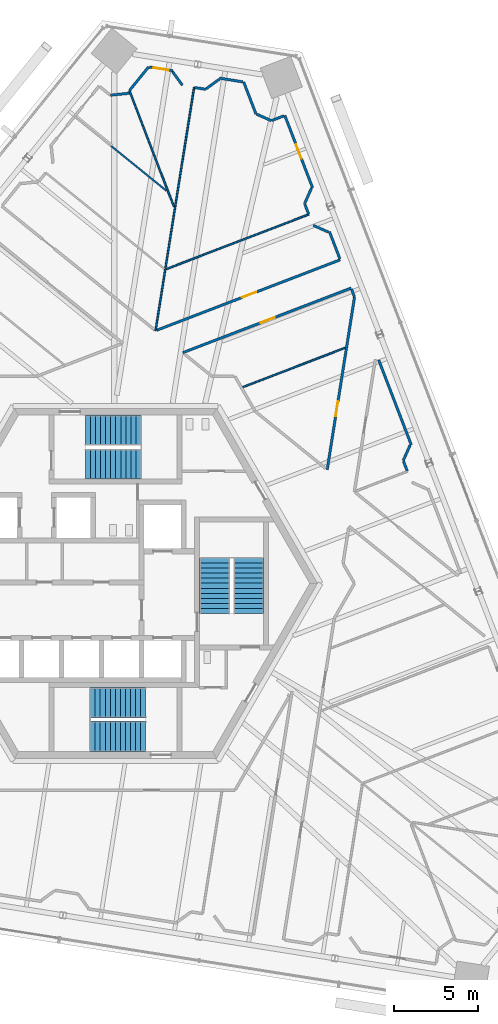
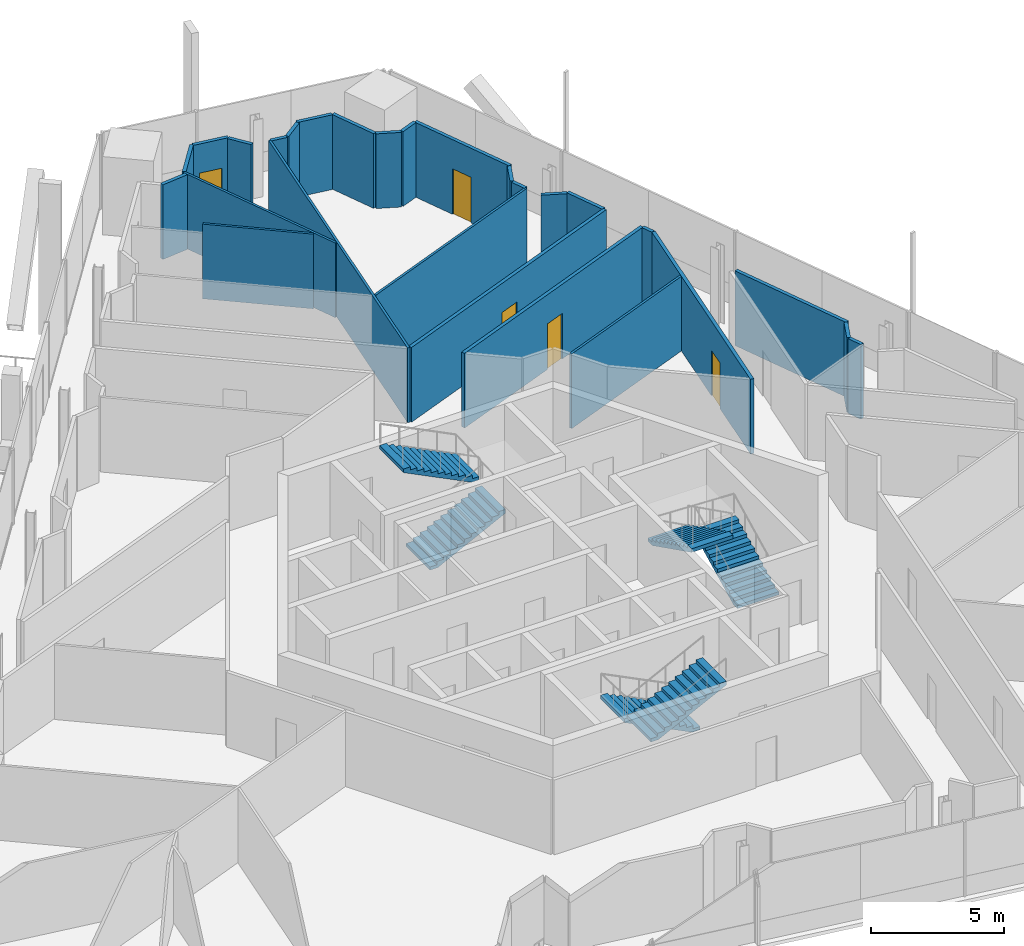
# One storey, part 16 of 23: 27 walls, 6 stair flights, 5 doors, 5 openings, 3 elements without a shape of their own.
"""IFC4 building model written with IfcOpenShell, lengths in metres."""

from ifc_helpers import new_model, si_unit, direction, frame, frame_2d, origin, place, context, subcontext, project, spatial, polyline, rectangle, outline, extrude, source, transform, mapped, material, layer, layer_set, type_object, element, fill, aggregate, save


model = new_model("IFC4")

# Units and contexts
model_context = context("Model", 3, precision=1e-05, world=origin(), true_north=direction((0.0, 1.0)))
body_context = subcontext(model_context, "Body", "Model", "MODEL_VIEW")
ifc_project = project(units=[si_unit("LENGTHUNIT", "METRE"), si_unit("AREAUNIT", "SQUARE_METRE"), si_unit("VOLUMEUNIT", "CUBIC_METRE"), si_unit("PLANEANGLEUNIT", "RADIAN"), si_unit("MASSUNIT", "GRAM", prefix="KILO")], contexts=[model_context])

# Site, building, storey
site_placement = place(None, origin())
site = spatial("IfcSite", under=ifc_project, at=site_placement, CompositionType="ELEMENT")
building_placement = place(site_placement, origin())
building = spatial("IfcBuilding", under=site, at=building_placement, Name="Triune Harvest Tower", CompositionType="ELEMENT")
storey_placement = place(building_placement, frame((0.0, 0.0, 167.699951171875)))
storey = spatial("IfcBuildingStorey", under=building, at=storey_placement, Name="L43", CompositionType="ELEMENT", Elevation=167.699951171875)

# Walls
ifc_material_1 = material(Name="Gypsum board on steel studs", Category="steel")
ifc_layer_1 = layer(ifc_material_1, 0.14990234375)
ifc_layer_set_1 = layer_set([ifc_layer_1], Name="Gypsum board on steel studs")
wall_type_1 = type_object("IfcWallType", Name="Fire Partition 150 mm", PredefinedType="PARTITIONING", material=ifc_layer_set_1)
wall_1_placement = place(storey_placement, frame((7.61328125, 29.784423828125, 0.0), z_axis=(0.0, 0.0, 1.0), x_axis=(0.358373590551, -0.933578261099, 0.0)))
element("IfcWall", 1, at=wall_1_placement, inside=storey, type_object=wall_type_1, Name="Partition L43 012", PredefinedType="PARTITIONING", context=body_context, shape_type="SweptSolid", body=[
    extrude(rectangle(XDim=2.026611328125, YDim=0.14990234375, at=frame_2d((1.01318359375, 0.0))), origin(), (0.0, 0.0, 1.0), 3.43994140625),
])
wall_2_placement = place(storey_placement, frame((11.2431640625, 22.530517578125, 0.0), z_axis=(0.0, 0.0, 1.0), x_axis=(0.358251499246, -0.933625119247, 0.0)))
element("IfcWall", 2, at=wall_2_placement, inside=storey, type_object=wall_type_1, Name="Partition L43 014", PredefinedType="PARTITIONING", context=body_context, shape_type="SweptSolid", body=[
    extrude(rectangle(XDim=0.629638671875, YDim=0.14990234375, at=frame_2d((0.31494140625, 0.0))), origin(), (0.0, 0.0, 1.0), 3.43994140625),
])
wall_3_placement = place(storey_placement, frame((17.1015625, 7.267822265625, 0.0), z_axis=(0.0, 0.0, 1.0), x_axis=(0.35824355396, -0.93362816798, 0.0)))
element("IfcWall", 3, at=wall_3_placement, inside=storey, type_object=wall_type_1, Name="Partition L43 015", PredefinedType="PARTITIONING", context=body_context, shape_type="SweptSolid", body=[
    extrude(rectangle(XDim=0.622802734375, YDim=0.14990234375, at=frame_2d((0.3115234375, 0.0))), origin(), (0.0, 0.0, 1.0), 3.43994140625),
])
wall_4_placement = place(storey_placement, frame((14.014892578125, 17.48681640625, 0.0), z_axis=(0.0, 0.0, 1.0), x_axis=(0.358412723489, -0.933563238159, 0.0)))
element("IfcWall", 4, at=wall_4_placement, inside=storey, type_object=wall_type_1, Name="Partition L43 019", PredefinedType="PARTITIONING", context=body_context, shape_type="SweptSolid", body=[
    extrude(rectangle(XDim=0.4912109375, YDim=0.14990234375, at=frame_2d((0.24560546875, 0.0))), origin(), (0.0, 0.0, 1.0), 3.43994140625),
])
wall_5_placement = place(storey_placement, frame((4.69775390625, 29.456298828125, 0.0), z_axis=(0.0, 0.0, 1.0), x_axis=(0.987708590409, -0.156306559145, 0.0)))
element("IfcWall", 5, at=wall_5_placement, inside=storey, type_object=wall_type_1, Name="Partition L43 070", PredefinedType="PARTITIONING", context=body_context, shape_type="SweptSolid", body=[
    extrude(rectangle(XDim=0.656005859375, YDim=0.14990234375, at=frame_2d((0.328125, 0.0))), origin(), (0.0, 0.0, 1.0), 3.43994140625),
])
wall_6_placement = place(storey_placement, frame((6.162841796875, 30.014404296875, 0.0), z_axis=(0.0, 0.0, 1.0), x_axis=(0.987669329581, -0.156554448688, 0.0)))
element("IfcWall", 6, at=wall_6_placement, inside=storey, type_object=wall_type_1, Name="Partition L43 072", PredefinedType="PARTITIONING", context=body_context, shape_type="SweptSolid", body=[
    extrude(rectangle(XDim=1.419189453125, YDim=0.14990234375, at=frame_2d((0.70947265625, 0.0))), origin(), (0.0, 0.0, 1.0), 3.43994140625),
])
wall_7_placement = place(storey_placement, frame((-0.305419921875, 29.0, 0.0), z_axis=(0.0, 0.0, 1.0), x_axis=(0.994515995105, 0.104584585292, 0.0)))
element("IfcWall", 7, at=wall_7_placement, inside=storey, type_object=wall_type_1, Name="Partition L43 081", PredefinedType="PARTITIONING", context=body_context, shape_type="SweptSolid", body=[
    extrude(rectangle(XDim=1.1416015625, YDim=0.14990234375, at=frame_2d((0.57080078125, 0.0))), origin(), (0.0, 0.0, 1.0), 3.43994140625),
])

# Wall, opening, door
wall_8_placement = place(storey_placement, frame((2.452392578125, 15.040283203125, 0.0), z_axis=(0.0, 0.0, 1.0), x_axis=(0.9335793899, 0.358370649961, 0.0)))
wall_8 = element("IfcWall", 8, at=wall_8_placement, inside=storey, type_object=wall_type_1, Name="Partition L43 095", PredefinedType="PARTITIONING", context=body_context, shape_type="SweptSolid", body=[
    extrude(rectangle(XDim=11.671142578125, YDim=0.14990234375, at=frame_2d((5.83544921875, 0.0))), origin(), (0.0, 0.0, 1.0), 3.43994140625),
])
opening_1_placement = place(wall_8_placement, frame((5.421142578125, 0.0, 0.0)))
opening_1 = element("IfcOpeningElement", 9, at=opening_1_placement, cuts=wall_8, Name="Opening L43-009", PredefinedType="OPENING", context=body_context, shape_type="SweptSolid", body=[
    extrude(rectangle(XDim=0.89990234375, YDim=2.10009765625, at=frame_2d((0.449951171875, 1.050048828125))), frame((0.0, 0.0849609375, 0.0), z_axis=(0.0, -1.0, 0.0), x_axis=(1.0, 0.0, 0.0)), (0.0, 0.0, 1.0), 0.169921875),
])
ifc_material_2 = material(Name="Timber and steel door set", Category="steel")
door_type_1 = type_object("IfcDoorType", Name="Single leaf door FD30 right hand 900 x 2100", OperationType="SINGLE_SWING_RIGHT", PredefinedType="DOOR", material=ifc_material_2)
door_1_placement = place(opening_1_placement, origin())
door_1 = element("IfcDoor", 10, at=door_1_placement, inside=storey, type_object=door_type_1, Name="Door L43-009 Meeting Room 43.09", OperationType="SINGLE_SWING_RIGHT", OverallHeight=2.10009765625, OverallWidth=0.89990234375, PredefinedType="DOOR", context=body_context, shape_type="SweptSolid", body=[
    extrude(rectangle(XDim=0.89990234375, YDim=2.10009765625, at=frame_2d((0.449951171875, 1.050048828125))), frame((0.0, 0.02490234375, 0.0), z_axis=(0.0, -1.0, 0.0), x_axis=(1.0, 0.0, 0.0)), (0.0, 0.0, 1.0), 0.050048828125),
])
fill(opening_1, door_1)

wall_9_placement = place(storey_placement, frame((12.573974609375, 6.754638671875, 0.0), z_axis=(0.0, 0.0, 1.0), x_axis=(0.156423837859, 0.987690023717, 0.0)))
wall_9 = element("IfcWall", 11, at=wall_9_placement, inside=storey, type_object=wall_type_1, Name="Partition L43 137", PredefinedType="PARTITIONING", context=body_context, shape_type="SweptSolid", body=[
    extrude(rectangle(XDim=10.382080078125, YDim=0.14990234375, at=frame_2d((5.19091796875, 0.0))), origin(), (0.0, 0.0, 1.0), 3.43994140625),
])
opening_2_placement = place(wall_9_placement, frame((3.211181640625, 0.0, 0.0)))
opening_2 = element("IfcOpeningElement", 12, at=opening_2_placement, cuts=wall_9, Name="Opening L43-007", PredefinedType="OPENING", context=body_context, shape_type="SweptSolid", body=[
    extrude(rectangle(XDim=0.89990234375, YDim=2.10009765625, at=frame_2d((0.449951171875, 1.050048828125))), frame((0.0, 0.0849609375, 0.0), z_axis=(0.0, -1.0, 0.0), x_axis=(1.0, 0.0, 0.0)), (0.0, 0.0, 1.0), 0.169921875),
])
ifc_material_3 = material(Name="Timber and steel door set", Category="steel")
door_type_2 = type_object("IfcDoorType", Name="Single leaf door FD30 left hand 900 x 2100", OperationType="SINGLE_SWING_LEFT", PredefinedType="DOOR", material=ifc_material_3)
door_2_placement = place(opening_2_placement, origin())
door_2 = element("IfcDoor", 13, at=door_2_placement, inside=storey, type_object=door_type_2, Name="Door L43-007 Meeting Room 43.07", OperationType="SINGLE_SWING_LEFT", OverallHeight=2.10009765625, OverallWidth=0.89990234375, PredefinedType="DOOR", context=body_context, shape_type="SweptSolid", body=[
    extrude(rectangle(XDim=0.89990234375, YDim=2.10009765625, at=frame_2d((0.449951171875, 1.050048828125))), frame((0.0, 0.02490234375, 0.0), z_axis=(0.0, -1.0, 0.0), x_axis=(1.0, 0.0, 0.0)), (0.0, 0.0, 1.0), 0.050048828125),
])
fill(opening_2, door_2)

# Walls
ifc_material_4 = material(Name="Gypsum board on steel studs", Category="steel")
ifc_layer_2 = layer(ifc_material_4, 0.10009765625)
ifc_layer_set_2 = layer_set([ifc_layer_2], Name="Gypsum board on steel studs")
wall_type_2 = type_object("IfcWallType", Name="Partition 100 mm", PredefinedType="PARTITIONING", material=ifc_layer_set_2)
wall_10_placement = place(storey_placement, frame((-0.25634765625, 25.979736328125, 0.0), z_axis=(0.0, 0.0, 1.0), x_axis=(0.777145274054, -0.629321239921, 0.0)))
element("IfcWall", 14, at=wall_10_placement, inside=storey, type_object=wall_type_2, Name="Partition L43 047a", PredefinedType="PARTITIONING", context=body_context, shape_type="SweptSolid", body=[
    extrude(rectangle(XDim=4.224609375, YDim=0.10009765625, at=frame_2d((2.1123046875, 0.0))), origin(), (0.0, 0.0, 1.0), 3.43994140625),
])
wall_11_placement = place(storey_placement, frame((7.48046875, 11.628173828125, 0.0), z_axis=(0.0, 0.0, 1.0), x_axis=(0.933595188966, 0.358329489631, 0.0)))
element("IfcWall", 15, at=wall_11_placement, inside=storey, type_object=wall_type_2, Name="Partition L43 090", PredefinedType="PARTITIONING", context=body_context, shape_type="SweptSolid", body=[
    extrude(rectangle(XDim=6.599365234375, YDim=0.10009765625, at=frame_2d((3.2998046875, 0.0))), origin(), (0.0, 0.0, 1.0), 3.43994140625),
])
wall_12_placement = place(storey_placement, frame((2.377685546875, 15.01171875, 0.0), z_axis=(0.0, 0.0, 1.0), x_axis=(0.156434740158, 0.987688297021, 0.0)))
element("IfcWall", 16, at=wall_12_placement, inside=storey, type_object=wall_type_2, Name="Partition L43 139", PredefinedType="PARTITIONING", context=body_context, shape_type="SweptSolid", body=[
    extrude(rectangle(XDim=14.629638671875, YDim=0.10009765625, at=frame_2d((7.31494140625, 0.0))), origin(), (0.0, 0.0, 1.0), 3.43994140625),
])
shared_shape_1 = source(origin(), body_context, "Body", "SweptSolid", [
    extrude(rectangle(XDim=0.9833984375, YDim=0.14990234375, at=frame_2d((0.49169921875, 0.0))), origin(), (0.0, 0.0, 1.0), 3.43994140625),
])
for number, where, z_axis, x_axis, name in (
    (17, (3.39306640625, 30.388671875, 0.0), (0.0, 0.0, 1.0), (0.587817405052, -0.808993633051, 0.0), "Partition L43 033"),
    (18, (5.367919921875, 29.37158203125, 0.0), (0.0, 0.0, 1.0), (0.808993633051, 0.587817405052, 0.0), "Partition L43 104"),
):
    element("IfcWall", number, at=place(storey_placement, frame(where, z_axis=z_axis, x_axis=x_axis)), inside=storey, type_object=wall_type_1, Name=name, PredefinedType="PARTITIONING", context=body_context, shape_type="MappedRepresentation", body=[
        mapped(shared_shape_1, transform((0.0, 0.0, 0.0), scale=1.0)),
    ])

# Wall, opening, door
shared_shape_2 = source(origin(), body_context, "Body", "SweptSolid", [
    extrude(rectangle(XDim=1.4189453125, YDim=0.14990234375, at=frame_2d((0.70947265625, 0.0))), origin(), (0.0, 0.0, 1.0), 3.43994140625),
])
wall_13_placement = place(storey_placement, frame((2.01220703125, 30.671875, 0.0), z_axis=(0.0, 0.0, 1.0), x_axis=(0.98766511198, -0.156581054338, 0.0)))
wall_13 = element("IfcWall", 19, at=wall_13_placement, inside=storey, type_object=wall_type_1, Name="Partition L43 071", PredefinedType="PARTITIONING", context=body_context, shape_type="MappedRepresentation", body=[
    mapped(shared_shape_2, transform((0.0, 0.0, 0.0), scale=1.0)),
])
opening_3_placement = place(wall_13_placement, frame((0.25, 0.0, 0.0)))
opening_3 = element("IfcOpeningElement", 20, at=opening_3_placement, cuts=wall_13, Name="Opening L43-012", PredefinedType="OPENING", context=body_context, shape_type="SweptSolid", body=[
    extrude(rectangle(XDim=0.89990234375, YDim=2.10009765625, at=frame_2d((0.449951171875, 1.050048828125))), frame((0.0, 0.0849609375, 0.0), z_axis=(0.0, -1.0, 0.0), x_axis=(1.0, 0.0, 0.0)), (0.0, 0.0, 1.0), 0.169921875),
])
door_3_placement = place(opening_3_placement, origin())
door_3 = element("IfcDoor", 21, at=door_3_placement, inside=storey, type_object=door_type_2, Name="Door L43-012 Reception 43.12", OperationType="SINGLE_SWING_LEFT", OverallHeight=2.10009765625, OverallWidth=0.89990234375, PredefinedType="DOOR", context=body_context, shape_type="SweptSolid", body=[
    extrude(rectangle(XDim=0.89990234375, YDim=2.10009765625, at=frame_2d((0.449951171875, 1.050048828125))), frame((0.0, 0.02490234375, 0.0), z_axis=(0.0, -1.0, 0.0), x_axis=(1.0, 0.0, 0.0)), (0.0, 0.0, 1.0), 0.050048828125),
])
fill(opening_3, door_3)

# Wall
shared_shape_3 = source(origin(), body_context, "Body", "SweptSolid", [
    extrude(rectangle(XDim=7.382568359375, YDim=0.10009765625, at=frame_2d((3.69140625, 0.0))), origin(), (0.0, 0.0, 1.0), 3.43994140625),
])
wall_14_placement = place(storey_placement, frame((0.822998046875, 29.271728515625, 0.0), z_axis=(0.0, 0.0, 1.0), x_axis=(0.358382888285, -0.933574691915, 0.0)))
element("IfcWall", 22, at=wall_14_placement, inside=storey, type_object=wall_type_2, Name="Partition L43 010", PredefinedType="PARTITIONING", context=body_context, shape_type="MappedRepresentation", body=[
    mapped(shared_shape_3, transform((0.0, 0.0, 0.0), scale=1.0)),
])

# Wall, opening, door
shared_shape_4 = source(origin(), body_context, "Body", "SweptSolid", [
    extrude(rectangle(XDim=4.603271484375, YDim=0.14990234375, at=frame_2d((2.3017578125, 0.0))), origin(), (0.0, 0.0, 1.0), 3.43994140625),
])
wall_15_placement = place(storey_placement, frame((10.0576171875, 27.7958984375, 0.0), z_axis=(0.0, 0.0, 1.0), x_axis=(0.358360617965, -0.933583240794, 0.0)))
wall_15 = element("IfcWall", 23, at=wall_15_placement, inside=storey, type_object=wall_type_1, Name="Partition L43 017", PredefinedType="PARTITIONING", context=body_context, shape_type="MappedRepresentation", body=[
    mapped(shared_shape_4, transform((0.0, 0.0, 0.0), scale=1.0)),
])
opening_4_placement = place(wall_15_placement, frame((1.850341796875, 0.0, 0.0)))
opening_4 = element("IfcOpeningElement", 24, at=opening_4_placement, cuts=wall_15, Name="Opening L43-011", PredefinedType="OPENING", context=body_context, shape_type="SweptSolid", body=[
    extrude(rectangle(XDim=0.89990234375, YDim=2.10009765625, at=frame_2d((0.449951171875, 1.050048828125))), frame((0.0, 0.0849609375, 0.0), z_axis=(0.0, -1.0, 0.0), x_axis=(1.0, 0.0, 0.0)), (0.0, 0.0, 1.0), 0.169921875),
])
door_4_placement = place(opening_4_placement, origin())
door_4 = element("IfcDoor", 25, at=door_4_placement, inside=storey, type_object=door_type_1, Name="Door L43-011 Project Room 43.11", OperationType="SINGLE_SWING_RIGHT", OverallHeight=2.10009765625, OverallWidth=0.89990234375, PredefinedType="DOOR", context=body_context, shape_type="SweptSolid", body=[
    extrude(rectangle(XDim=0.89990234375, YDim=2.10009765625, at=frame_2d((0.449951171875, 1.050048828125))), frame((0.0, 0.02490234375, 0.0), z_axis=(0.0, -1.0, 0.0), x_axis=(1.0, 0.0, 0.0)), (0.0, 0.0, 1.0), 0.050048828125),
])
fill(opening_4, door_4)

# Walls
shared_shape_5 = source(origin(), body_context, "Body", "SweptSolid", [
    extrude(rectangle(XDim=1.73583984375, YDim=0.14990234375, at=frame_2d((0.867919921875, 0.0))), origin(), (0.0, 0.0, 1.0), 3.43994140625),
])
wall_16_placement = place(storey_placement, frame((12.705322265625, 20.8984375, 0.0), z_axis=(0.0, 0.0, 1.0), x_axis=(0.358356982946, -0.933584636106, 0.0)))
element("IfcWall", 26, at=wall_16_placement, inside=storey, type_object=wall_type_1, Name="Partition L43 018", PredefinedType="PARTITIONING", context=body_context, shape_type="MappedRepresentation", body=[
    mapped(shared_shape_5, transform((0.0, 0.0, 0.0), scale=1.0)),
])
shared_shape_6 = source(origin(), body_context, "Body", "SweptSolid", [
    extrude(rectangle(XDim=5.3916015625, YDim=0.14990234375, at=frame_2d((2.69580078125, 0.0))), origin(), (0.0, 0.0, 1.0), 3.43994140625),
])
wall_17_placement = place(storey_placement, frame((15.634521484375, 13.267333984375, 0.0), z_axis=(0.0, 0.0, 1.0), x_axis=(0.358402489573, -0.93356716709, 0.0)))
element("IfcWall", 27, at=wall_17_placement, inside=storey, type_object=wall_type_1, Name="Partition L43 020", PredefinedType="PARTITIONING", context=body_context, shape_type="MappedRepresentation", body=[
    mapped(shared_shape_6, transform((0.0, 0.0, 0.0), scale=1.0)),
])
shared_shape_7 = source(origin(), body_context, "Body", "SweptSolid", [
    extrude(rectangle(XDim=0.782958984375, YDim=0.14990234375, at=frame_2d((0.3916015625, 0.0))), origin(), (0.0, 0.0, 1.0), 3.43994140625),
])
wall_18_placement = place(storey_placement, frame((9.280029296875, 27.4970703125, 0.0), z_axis=(0.0, 0.0, 1.0), x_axis=(0.933610565316, 0.358289425367, 0.0)))
element("IfcWall", 28, at=wall_18_placement, inside=storey, type_object=wall_type_1, Name="Partition L43 097", PredefinedType="PARTITIONING", context=body_context, shape_type="MappedRepresentation", body=[
    mapped(shared_shape_7, transform((0.0, 0.0, 0.0), scale=1.0)),
])
shared_shape_8 = source(origin(), body_context, "Body", "SweptSolid", [
    extrude(rectangle(XDim=9.060546875, YDim=0.10009765625, at=frame_2d((4.5302734375, 0.0))), origin(), (0.0, 0.0, 1.0), 3.43994140625),
])
wall_19_placement = place(storey_placement, frame((3.018798828125, 18.672119140625, 0.0), z_axis=(0.0, 0.0, 1.0), x_axis=(0.933587072459, 0.358350635744, 0.0)))
element("IfcWall", 29, at=wall_19_placement, inside=storey, type_object=wall_type_2, Name="Partition L43 096", PredefinedType="PARTITIONING", context=body_context, shape_type="MappedRepresentation", body=[
    mapped(shared_shape_8, transform((0.0, 0.0, 0.0), scale=1.0)),
])

# Wall, opening, door
shared_shape_9 = source(origin(), body_context, "Body", "SweptSolid", [
    extrude(rectangle(XDim=10.7119140625, YDim=0.14990234375, at=frame_2d((5.35595703125, 0.0))), origin(), (0.0, 0.0, 1.0), 3.43994140625),
])
wall_20_placement = place(storey_placement, frame((3.992919921875, 13.70361328125, 0.0), z_axis=(0.0, 0.0, 1.0), x_axis=(0.933579195809, 0.358371155581, 0.0)))
wall_20 = element("IfcWall", 30, at=wall_20_placement, inside=storey, type_object=wall_type_1, Name="Partition L43 092", PredefinedType="PARTITIONING", context=body_context, shape_type="MappedRepresentation", body=[
    mapped(shared_shape_9, transform((0.0, 0.0, 0.0), scale=1.0)),
])
opening_5_placement = place(wall_20_placement, frame((4.949951171875, 0.0, 0.0)))
opening_5 = element("IfcOpeningElement", 31, at=opening_5_placement, cuts=wall_20, Name="Opening L43-010", PredefinedType="OPENING", context=body_context, shape_type="SweptSolid", body=[
    extrude(rectangle(XDim=0.89990234375, YDim=2.10009765625, at=frame_2d((0.449951171875, 1.050048828125))), frame((0.0, 0.0849609375, 0.0), z_axis=(0.0, -1.0, 0.0), x_axis=(1.0, 0.0, 0.0)), (0.0, 0.0, 1.0), 0.169921875),
])
door_5_placement = place(opening_5_placement, origin())
door_5 = element("IfcDoor", 32, at=door_5_placement, inside=storey, type_object=door_type_2, Name="Door L43-010 Office 43.10", OperationType="SINGLE_SWING_LEFT", OverallHeight=2.10009765625, OverallWidth=0.89990234375, PredefinedType="DOOR", context=body_context, shape_type="SweptSolid", body=[
    extrude(rectangle(XDim=0.89990234375, YDim=2.10009765625, at=frame_2d((0.449951171875, 1.050048828125))), frame((0.0, 0.02490234375, 0.0), z_axis=(0.0, -1.0, 0.0), x_axis=(1.0, 0.0, 0.0)), (0.0, 0.0, 1.0), 0.050048828125),
])
fill(opening_5, door_5)

# Walls
shared_shape_10 = source(origin(), body_context, "Body", "SweptSolid", [
    extrude(rectangle(XDim=0.98388671875, YDim=0.14990234375, at=frame_2d((0.491943359375, 0.0))), origin(), (0.0, 0.0, 1.0), 3.43994140625),
])
wall_21_placement = place(storey_placement, frame((11.75048828125, 21.2666015625, 0.0), z_axis=(0.0, 0.0, 1.0), x_axis=(0.913576065366, -0.406667890042, 0.0)))
element("IfcWall", 33, at=wall_21_placement, inside=storey, type_object=wall_type_1, Name="Partition L43 052", PredefinedType="PARTITIONING", context=body_context, shape_type="MappedRepresentation", body=[
    mapped(shared_shape_10, transform((0.0, 0.0, 0.0), scale=1.0)),
])
shared_shape_11 = source(origin(), body_context, "Body", "SweptSolid", [
    extrude(rectangle(XDim=0.96826171875, YDim=0.14990234375, at=frame_2d((0.484130859375, 0.0))), origin(), (0.0, 0.0, 1.0), 3.43994140625),
])
wall_22_placement = place(storey_placement, frame((8.367431640625, 27.880126953125, 0.0), z_axis=(0.0, 0.0, 1.0), x_axis=(0.913551409581, -0.406723274539, 0.0)))
element("IfcWall", 34, at=wall_22_placement, inside=storey, type_object=wall_type_1, Name="Partition L43 053", PredefinedType="PARTITIONING", context=body_context, shape_type="MappedRepresentation", body=[
    mapped(shared_shape_11, transform((0.0, 0.0, 0.0), scale=1.0)),
])
shared_shape_12 = source(origin(), body_context, "Body", "SweptSolid", [
    extrude(rectangle(XDim=1.79150390625, YDim=0.14990234375, at=frame_2d((0.895751953125, 0.0))), origin(), (0.0, 0.0, 1.0), 3.43994140625),
])
wall_23_placement = place(storey_placement, frame((0.835205078125, 29.287109375, 0.0), z_axis=(0.0, 0.0, 1.0), x_axis=(0.629304066971, 0.777159180151, 0.0)))
element("IfcWall", 35, at=wall_23_placement, inside=storey, type_object=wall_type_1, Name="Partition L43 110", PredefinedType="PARTITIONING", context=body_context, shape_type="MappedRepresentation", body=[
    mapped(shared_shape_12, transform((0.0, 0.0, 0.0), scale=1.0)),
])
shared_shape_13 = source(origin(), body_context, "Body", "SweptSolid", [
    extrude(rectangle(XDim=1.013916015625, YDim=0.14990234375, at=frame_2d((0.5068359375, 0.0))), origin(), (0.0, 0.0, 1.0), 3.43994140625),
])
for number, where, z_axis, x_axis, name in (
    (36, (17.091064453125, 7.295166015625, 0.0), (0.0, 0.0, 1.0), (0.406696927289, 0.913563139216, 0.0), "Partition L43 128"),
    (37, (11.231689453125, 22.559326171875, 0.0), (0.0, 0.0, 1.0), (0.406696927289, 0.913563139216, 0.0), "Partition L43 129"),
):
    element("IfcWall", number, at=place(storey_placement, frame(where, z_axis=z_axis, x_axis=x_axis)), inside=storey, type_object=wall_type_1, Name=name, PredefinedType="PARTITIONING", context=body_context, shape_type="MappedRepresentation", body=[
        mapped(shared_shape_13, transform((0.0, 0.0, 0.0), scale=1.0)),
    ])

# Stair, stair flights
ifc_material_5 = material(Name="Concrete 40 MPa", Category="concrete")
stair_type = type_object("IfcStairType", Name="Exit stair 1800 half turn", PredefinedType="HALF_TURN_STAIR", material=ifc_material_5)
stair_1_placement = place(storey_placement, origin())
stair_1 = element("IfcStair", 38, at=stair_1_placement, inside=storey, type_object=stair_type, Name="Exit stair north", PredefinedType="HALF_TURN_STAIR")
ifc_material_6 = material(Name="Concrete 40 MPa", Category="concrete")
stair_flight_type = type_object("IfcStairFlightType", Name="Stair flight 1800", PredefinedType="STRAIGHT", material=ifc_material_6)
shared_shape_14 = source(origin(), body_context, "Body", "SweptSolid", [
    extrude(outline(polyline([(0.0, 0.0), (0.0, 0.14990234375), (0.300048828125, 0.14990234375), (0.300048828125, 0.300048828125), (0.60009765625, 0.300048828125), (0.60009765625, 0.449951171875), (0.89990234375, 0.449951171875), (0.89990234375, 0.60009765625), (1.199951171875, 0.60009765625), (1.199951171875, 0.75), (1.5, 0.75), (1.5, 0.89990234375), (1.800048828125, 0.89990234375), (1.800048828125, 1.050048828125), (2.10009765625, 1.050048828125), (2.10009765625, 1.199951171875), (2.39990234375, 1.199951171875), (2.39990234375, 1.35009765625), (2.699951171875, 1.35009765625), (2.699951171875, 1.5), (3.0, 1.5), (3.0, 1.64990234375), (3.300048828125, 1.64990234375), (3.300048828125, 1.800048828125), (3.300048828125, 1.482421875), (0.335205078125, 0.0), (0.0, 0.0)])), frame((0.0, 0.89990234375, 0.0), z_axis=(0.0, -1.0, 0.0), x_axis=(1.0, 0.0, 0.0)), (0.0, 0.0, 1.0), 1.800048828125),
])
stair_flight_1_placement = place(storey_placement, frame((-1.7900390625, 7.090087890625, 0.0), z_axis=(0.0, 0.0, 1.0), x_axis=(1.0, 0.0, 0.0)))
stair_flight_1 = element("IfcStairFlight", 39, at=stair_flight_1_placement, type_object=stair_flight_type, Name="ST-1 flight 1", NumberOfRisers=12, NumberOfTreads=11, PredefinedType="STRAIGHT", RiserHeight=0.15, TreadLength=0.3, context=body_context, shape_type="MappedRepresentation", body=[
    mapped(shared_shape_14, transform((0.0, 0.0, 0.0), scale=1.0)),
])
stair_flight_2_placement = place(storey_placement, frame((1.510009765625, 9.090087890625, 1.800048828125), z_axis=(0.0, 0.0, 1.0), x_axis=(-1.0, 0.0, 0.0)))
stair_flight_2 = element("IfcStairFlight", 40, at=stair_flight_2_placement, type_object=stair_flight_type, Name="ST-1 flight 2", NumberOfRisers=12, NumberOfTreads=11, PredefinedType="STRAIGHT", RiserHeight=0.15, TreadLength=0.3, context=body_context, shape_type="MappedRepresentation", body=[
    mapped(shared_shape_14, transform((0.0, 0.0, 0.0), scale=1.0)),
])
aggregate(stair_1, [stair_flight_1, stair_flight_2])

stair_2_placement = place(storey_placement, origin())
stair_2 = element("IfcStair", 41, at=stair_2_placement, inside=storey, type_object=stair_type, Name="Exit stair south", PredefinedType="HALF_TURN_STAIR")
stair_flight_3_placement = place(storey_placement, frame((1.7900390625, -7.090087890625, 0.0), z_axis=(0.0, 0.0, 1.0), x_axis=(-1.0, 0.0, 0.0)))
stair_flight_3 = element("IfcStairFlight", 42, at=stair_flight_3_placement, type_object=stair_flight_type, Name="ST-2 flight 1", NumberOfRisers=12, NumberOfTreads=11, PredefinedType="STRAIGHT", RiserHeight=0.15, TreadLength=0.3, context=body_context, shape_type="MappedRepresentation", body=[
    mapped(shared_shape_14, transform((0.0, 0.0, 0.0), scale=1.0)),
])
stair_flight_4_placement = place(storey_placement, frame((-1.510009765625, -9.090087890625, 1.800048828125), z_axis=(0.0, 0.0, 1.0), x_axis=(1.0, 0.0, 0.0)))
stair_flight_4 = element("IfcStairFlight", 43, at=stair_flight_4_placement, type_object=stair_flight_type, Name="ST-2 flight 2", NumberOfRisers=12, NumberOfTreads=11, PredefinedType="STRAIGHT", RiserHeight=0.15, TreadLength=0.3, context=body_context, shape_type="MappedRepresentation", body=[
    mapped(shared_shape_14, transform((0.0, 0.0, 0.0), scale=1.0)),
])
aggregate(stair_2, [stair_flight_3, stair_flight_4])

stair_3_placement = place(storey_placement, origin())
stair_3 = element("IfcStair", 44, at=stair_3_placement, inside=storey, type_object=stair_type, Name="Exit stair east", PredefinedType="HALF_TURN_STAIR")
stair_flight_5_placement = place(storey_placement, frame((7.89990234375, -1.7900390625, 0.0), z_axis=(0.0, 0.0, 1.0), x_axis=(0.0, 1.0, 0.0)))
stair_flight_5 = element("IfcStairFlight", 45, at=stair_flight_5_placement, type_object=stair_flight_type, Name="ST-3 flight 1", NumberOfRisers=12, NumberOfTreads=11, PredefinedType="STRAIGHT", RiserHeight=0.15, TreadLength=0.3, context=body_context, shape_type="MappedRepresentation", body=[
    mapped(shared_shape_14, transform((0.0, 0.0, 0.0), scale=1.0)),
])
stair_flight_6_placement = place(storey_placement, frame((5.89990234375, 1.510009765625, 1.800048828125), z_axis=(0.0, 0.0, 1.0), x_axis=(0.0, -1.0, 0.0)))
stair_flight_6 = element("IfcStairFlight", 46, at=stair_flight_6_placement, type_object=stair_flight_type, Name="ST-3 flight 2", NumberOfRisers=12, NumberOfTreads=11, PredefinedType="STRAIGHT", RiserHeight=0.15, TreadLength=0.3, context=body_context, shape_type="MappedRepresentation", body=[
    mapped(shared_shape_14, transform((0.0, 0.0, 0.0), scale=1.0)),
])
aggregate(stair_3, [stair_flight_5, stair_flight_6])

save(model, "model.ifc")
